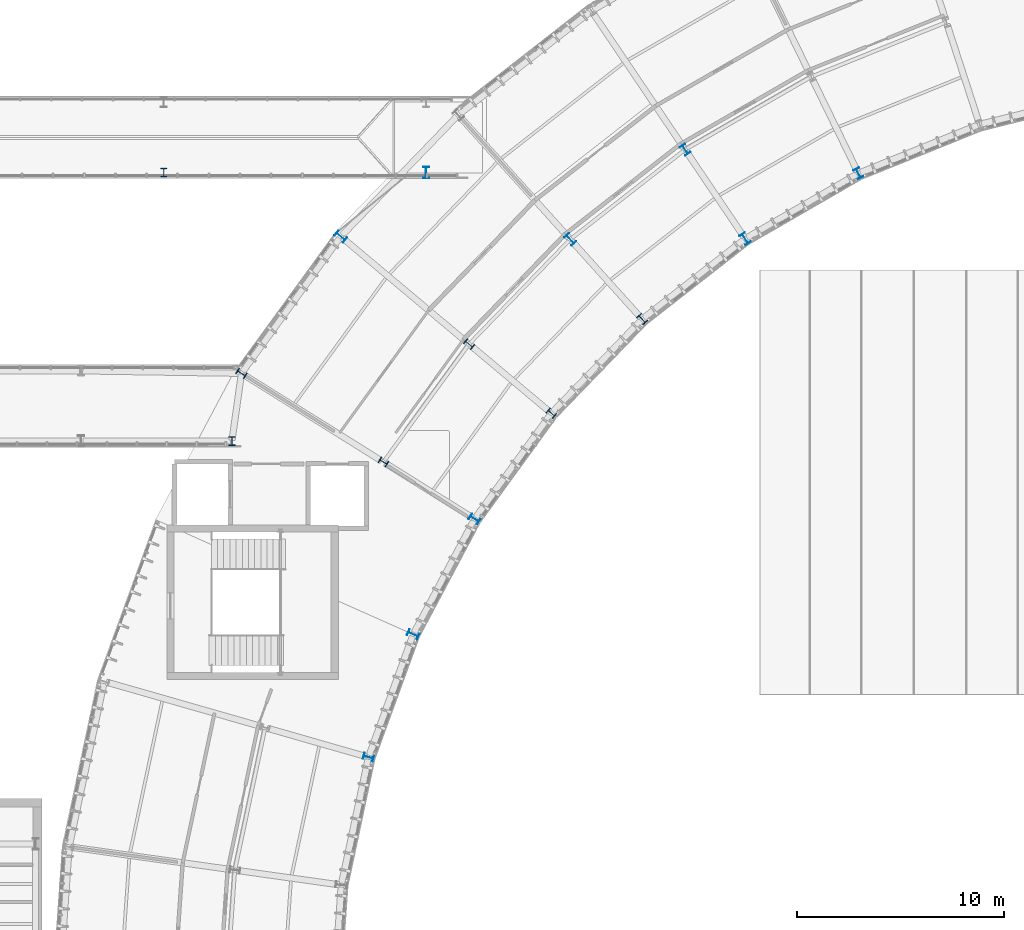
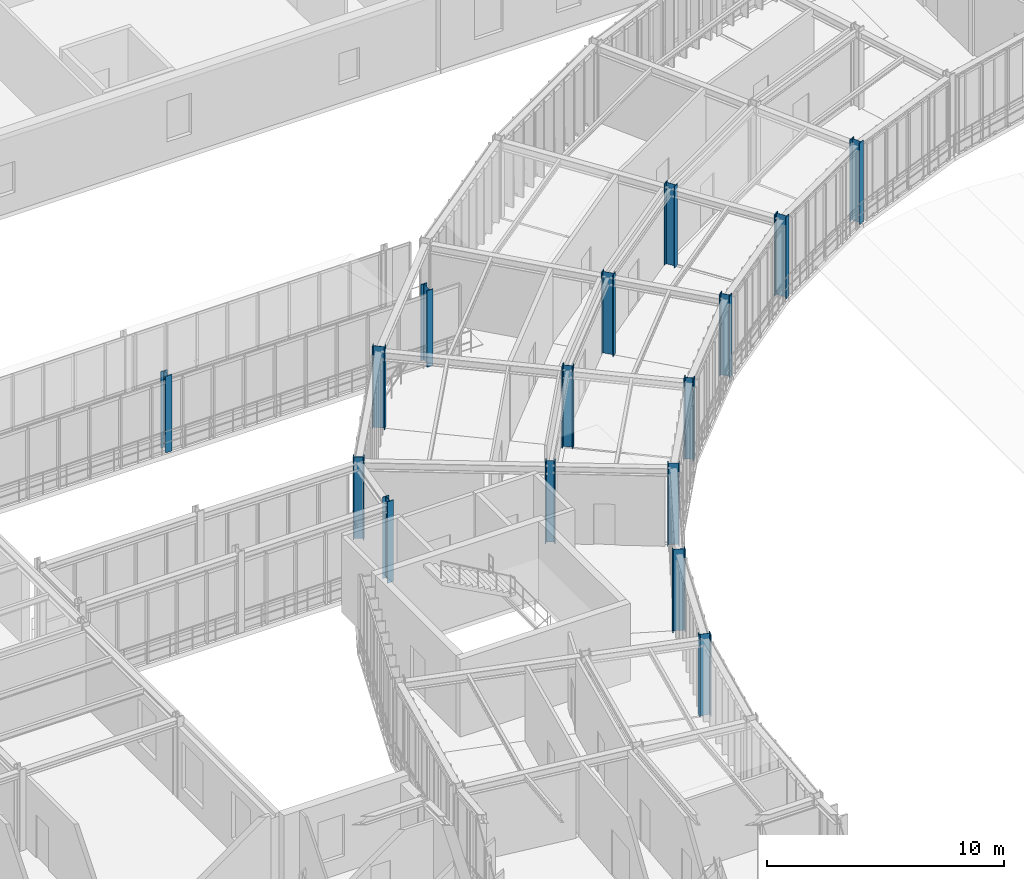
# One storey, part 3 of 57: 16 columns.
"""IFC4 building model written with IfcOpenShell, lengths in metres."""

from ifc_helpers import new_model, si_unit, direction, frame, origin, origin_2d, place, context, subcontext, project, spatial, i_section, extrude, material, material_profile, profile_set, type_object, element, save


model = new_model("IFC4")

# Units and contexts
model_context = context("Model", 3, precision=1e-05, world=origin(), true_north=direction((0.0, 1.0)))
body_context = subcontext(model_context, "Body", "Model", "MODEL_VIEW")
ifc_project = project(units=[si_unit("LENGTHUNIT", "METRE"), si_unit("AREAUNIT", "SQUARE_METRE"), si_unit("VOLUMEUNIT", "CUBIC_METRE"), si_unit("PLANEANGLEUNIT", "RADIAN"), si_unit("MASSUNIT", "GRAM", prefix="KILO"), si_unit("THERMODYNAMICTEMPERATUREUNIT", "KELVIN"), si_unit("POWERUNIT", "WATT")], contexts=[model_context])

# Site, building, storey
site_placement = place(None, origin())
site = spatial("IfcSite", under=ifc_project, at=site_placement, CompositionType="ELEMENT")
building_placement = place(site_placement, origin())
building = spatial("IfcBuilding", under=site, at=building_placement, Name="Solvatero Civic Police Headquarters", CompositionType="ELEMENT")
storey_placement = place(building_placement, frame((0.0, 0.0, 9.300048828125)))
storey = spatial("IfcBuildingStorey", under=building, at=storey_placement, Name="L02", CompositionType="ELEMENT", Elevation=9.300048828125)

# Columns
ifc_material = material(Name="Steel S355", Category="steel")
ifc_material_profile_1 = material_profile(ifc_material, i_section(OverallWidth=0.300048828125, OverallDepth=0.5, WebThickness=0.014404296875, FlangeThickness=0.028076171875, FilletRadius=0.027099609375, at=origin_2d()), Name="HEB 500")
ifc_profile_set_1 = profile_set([ifc_material_profile_1], Name="Steel S355")
column_type_1 = type_object("IfcColumnType", Name="COL-ST-HEB500", PredefinedType="COLUMN", material=ifc_profile_set_1)
for number, where, z_axis, x_axis, name in (
    (1, (74.119873046875, 66.76025390625, 0.0), (0.0, 0.0, 1.0), (0.898794046299, 0.438371146789, 0.0), "Column ARC-S04-IN L02"),
    (2, (65.73291015625, 67.90771484375, 0.0), (0.0, 0.0, 1.0), (0.829037572555, 0.559192903471, 0.0), "Column ARC-S05-MID L02"),
    (3, (55.541015625, 50.03173828125, 0.0), (0.0, 0.0, 1.0), (0.529919264233, 0.848048096156, 0.0), "Column ARC-S08-IN L02"),
    (4, (50.40673828125, 38.500244140625, 0.0), (0.0, 0.0, 1.0), (0.275637355817, 0.961261695938, 0.0), "Column ARC-S10-IN L02"),
):
    element("IfcColumn", number, at=place(storey_placement, frame(where, z_axis=z_axis, x_axis=x_axis)), inside=storey, type_object=column_type_1, Name=name, PredefinedType="COLUMN", context=body_context, shape_type="SweptSolid", body=[
        extrude(i_section(OverallWidth=0.300048828125, OverallDepth=0.5, WebThickness=0.014404296875, FlangeThickness=0.028076171875, FilletRadius=0.027099609375, at=origin_2d()), origin(), (0.0, 0.0, 1.0), 4.199951171875),
    ])
ifc_material_profile_2 = material_profile(ifc_material, i_section(OverallWidth=0.300048828125, OverallDepth=0.550048828125, WebThickness=0.014892578125, FlangeThickness=0.029052734375, FilletRadius=0.027099609375, at=origin_2d()), Name="HEB 550")
ifc_profile_set_2 = profile_set([ifc_material_profile_2], Name="Steel S355")
column_type_2 = type_object("IfcColumnType", Name="COL-ST-HEB550", PredefinedType="COLUMN", material=ifc_profile_set_2)
for number, where, z_axis, x_axis, name in (
    (5, (68.640625, 63.596923828125, 0.0), (0.0, 0.0, 1.0), (0.829037572555, 0.559192903471, 0.0), "Column ARC-S05-IN L02"),
    (6, (60.17529296875, 63.56591796875, 0.0), (0.0, 0.0, 1.0), (0.743144825477, 0.669130606359, 0.0), "Column ARC-S06-MID L02"),
    (7, (49.071533203125, 63.699462890625, 0.0), (0.0, 0.0, 1.0), (0.642787609687, 0.766044443119, 0.0), "Column ARC-S07-OUT L02"),
    (8, (52.57080078125, 44.445556640625, 0.0), (0.0, 0.0, 1.0), (0.406736643076, 0.913545457643, 0.0), "Column ARC-S09-IN L02"),
):
    element("IfcColumn", number, at=place(storey_placement, frame(where, z_axis=z_axis, x_axis=x_axis)), inside=storey, type_object=column_type_2, Name=name, PredefinedType="COLUMN", context=body_context, shape_type="SweptSolid", body=[
        extrude(i_section(OverallWidth=0.300048828125, OverallDepth=0.550048828125, WebThickness=0.014892578125, FlangeThickness=0.029052734375, FilletRadius=0.027099609375, at=origin_2d()), origin(), (0.0, 0.0, 1.0), 4.199951171875),
    ])
column_1_placement = place(storey_placement, frame((53.199951171875, 66.800048828125, 0.0), z_axis=(0.0, 0.0, 1.0), x_axis=(1.0, 0.0, 0.0)))
element("IfcColumn", 9, at=column_1_placement, inside=storey, type_object=column_type_2, Name="Column SB2-E-S L02", PredefinedType="COLUMN", context=body_context, shape_type="SweptSolid", body=[
    extrude(i_section(OverallWidth=0.300048828125, OverallDepth=0.550048828125, WebThickness=0.014892578125, FlangeThickness=0.029052734375, FilletRadius=0.027099609375, at=origin_2d()), origin(), (0.0, 0.0, 1.0), 3.93994140625),
])
ifc_material_profile_3 = material_profile(ifc_material, i_section(OverallWidth=0.306884765625, OverallDepth=0.431884765625, WebThickness=0.02099609375, FlangeThickness=0.0400390625, FilletRadius=0.027099609375, at=origin_2d()), Name="HEM 400")
ifc_profile_set_3 = profile_set([ifc_material_profile_3], Name="Steel S355")
column_type_3 = type_object("IfcColumnType", Name="COL-ST-HEM400", PredefinedType="COLUMN", material=ifc_profile_set_3)
for number, where, z_axis, x_axis, name in (
    (10, (59.260009765625, 55.150390625, 0.0), (0.0, 0.0, 1.0), (0.642787609687, 0.766044443119, 0.0), "Column ARC-S07-IN L02"),
    (11, (51.131103515625, 52.787353515625, 0.0), (0.0, 0.0, 1.0), (0.529919264233, 0.848048096156, 0.0), "Column ARC-S08-MID L02"),
    (12, (43.800048828125, 53.800048828125, 0.0), (0.0, 0.0, 1.0), (1.0, 0.0, 0.0), "Column SB1-E-S L02"),
):
    element("IfcColumn", number, at=place(storey_placement, frame(where, z_axis=z_axis, x_axis=x_axis)), inside=storey, type_object=column_type_3, Name=name, PredefinedType="COLUMN", context=body_context, shape_type="SweptSolid", body=[
        extrude(i_section(OverallWidth=0.306884765625, OverallDepth=0.431884765625, WebThickness=0.02099609375, FlangeThickness=0.0400390625, FilletRadius=0.027099609375, at=origin_2d()), origin(), (0.0, 0.0, 1.0), 4.199951171875),
    ])
column_2_placement = place(storey_placement, frame((40.5, 66.800048828125, 0.0), z_axis=(0.0, 0.0, 1.0), x_axis=(1.0, 0.0, 0.0)))
element("IfcColumn", 13, at=column_2_placement, inside=storey, type_object=column_type_3, Name="Column SB2-MID-S L02", PredefinedType="COLUMN", context=body_context, shape_type="SweptSolid", body=[
    extrude(i_section(OverallWidth=0.306884765625, OverallDepth=0.431884765625, WebThickness=0.02099609375, FlangeThickness=0.0400390625, FilletRadius=0.027099609375, at=origin_2d()), origin(), (0.0, 0.0, 1.0), 3.93994140625),
])
ifc_material_profile_4 = material_profile(ifc_material, i_section(OverallWidth=0.306884765625, OverallDepth=0.47802734375, WebThickness=0.02099609375, FlangeThickness=0.0400390625, FilletRadius=0.027099609375, at=origin_2d()), Name="HEM 450")
ifc_profile_set_4 = profile_set([ifc_material_profile_4], Name="Steel S355")
column_type_4 = type_object("IfcColumnType", Name="COL-ST-HEM450", PredefinedType="COLUMN", material=ifc_profile_set_4)
for number, where, z_axis, x_axis, name in (
    (14, (63.65478515625, 59.70166015625, 0.0), (0.0, 0.0, 1.0), (0.743144825477, 0.669130606359, 0.0), "Column ARC-S06-IN L02"),
    (15, (55.276611328125, 58.492919921875, 0.0), (0.0, 0.0, 1.0), (0.642787609687, 0.766044443119, 0.0), "Column ARC-S07-MID L02"),
    (16, (44.261962890625, 57.079833984375, 0.0), (0.0, 0.0, 1.0), (0.529919264233, 0.848048096156, 0.0), "Column ARC-S08-OUT L02"),
):
    element("IfcColumn", number, at=place(storey_placement, frame(where, z_axis=z_axis, x_axis=x_axis)), inside=storey, type_object=column_type_4, Name=name, PredefinedType="COLUMN", context=body_context, shape_type="SweptSolid", body=[
        extrude(i_section(OverallWidth=0.306884765625, OverallDepth=0.47802734375, WebThickness=0.02099609375, FlangeThickness=0.0400390625, FilletRadius=0.027099609375, at=origin_2d()), origin(), (0.0, 0.0, 1.0), 4.199951171875),
    ])

save(model, "model.ifc")
